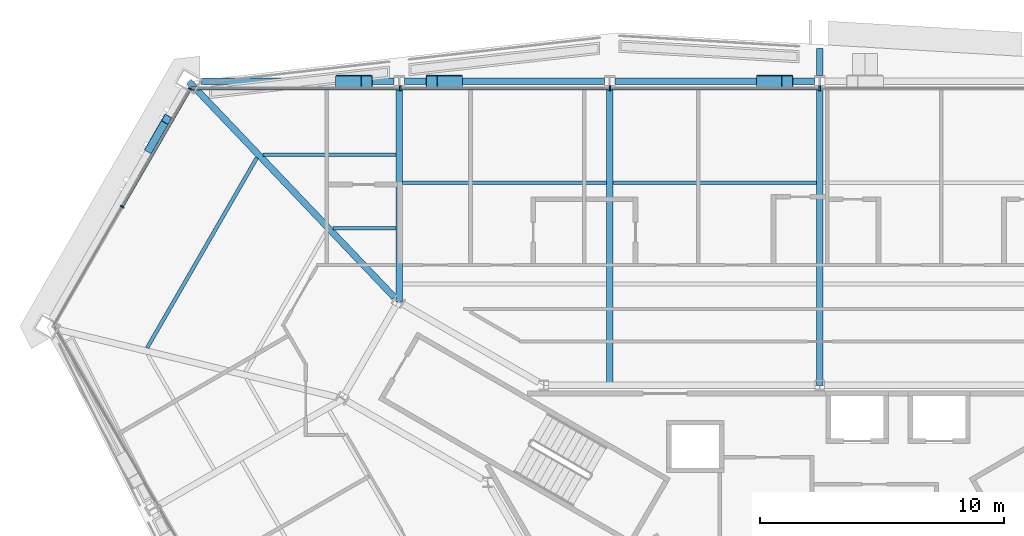
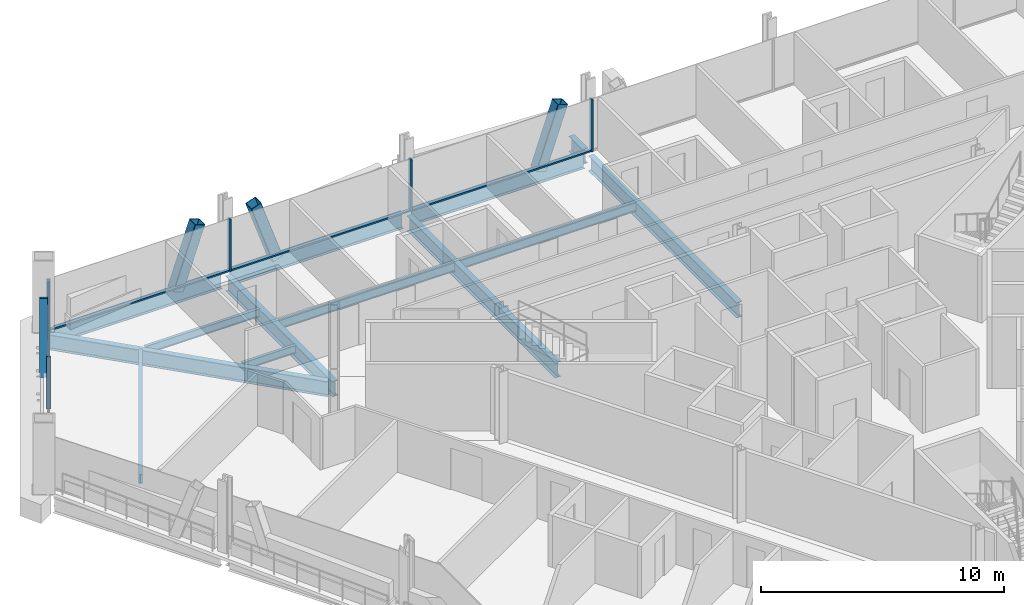
# One storey, part 8 of 18: 13 beams, 13 members, 2 elements without a shape of their own.
"""IFC4 building model written with IfcOpenShell, lengths in metres."""

from ifc_helpers import new_model, si_unit, direction, frame, origin, origin_2d, place, context, subcontext, project, spatial, rectangle, hollow_rectangle, i_section, extrude, material, material_profile, profile_set, type_object, element, aggregate, save


model = new_model("IFC4")

# Units and contexts
model_context = context("Model", 3, precision=1e-05, world=origin(), true_north=direction((0.0, 1.0)))
body_context = subcontext(model_context, "Body", "Model", "MODEL_VIEW")
ifc_project = project(units=[si_unit("LENGTHUNIT", "METRE"), si_unit("AREAUNIT", "SQUARE_METRE"), si_unit("VOLUMEUNIT", "CUBIC_METRE"), si_unit("PLANEANGLEUNIT", "RADIAN"), si_unit("MASSUNIT", "GRAM", prefix="KILO")], contexts=[model_context])

# Site, building, storey
site_placement = place(None, origin())
site = spatial("IfcSite", under=ifc_project, at=site_placement, CompositionType="ELEMENT")
building_placement = place(site_placement, origin())
building = spatial("IfcBuilding", under=site, at=building_placement, Name="Verrane Prism Tower", CompositionType="ELEMENT")
storey_placement = place(building_placement, frame((0.0, 0.0, 80.0)))
storey = spatial("IfcBuildingStorey", under=building, at=storey_placement, Name="L18", CompositionType="ELEMENT", Elevation=80.0)

# Member
ifc_material_1 = material(Name="Steel A500 Grade C", Category="steel")
ifc_material_profile_1 = material_profile(ifc_material_1, hollow_rectangle(XDim=0.355712890625, YDim=0.355712890625, WallThickness=0.0126953125, InnerFilletRadius=0.00634765625, OuterFilletRadius=0.01904296875, at=origin_2d()), Name="HSS14x14x1/2")
ifc_profile_set_1 = profile_set([ifc_material_profile_1], Name="Steel A500 Grade C")
member_type_1 = type_object("IfcMemberType", Name="Chamfer brace HSS14x14x1/2", PredefinedType="BRACE", material=ifc_profile_set_1)
member_1_placement = place(storey_placement, frame((-27.4912109375, 18.909423828125, -0.2451171875), z_axis=(0.209320899333, 0.363137808433, 0.907918329581), x_axis=(-0.866373148104, 0.499397204883, 0.0)))
element("IfcMember", 1, at=member_1_placement, inside=storey, type_object=member_type_1, Name="Chamfer brace NW0 L18", PredefinedType="BRACE", context=body_context, shape_type="SweptSolid", body=[
    extrude(hollow_rectangle(XDim=0.355712890625, YDim=0.355712890625, WallThickness=0.0126953125, InnerFilletRadius=0.00634765625, OuterFilletRadius=0.01904296875, at=origin_2d()), origin(), (0.0, 0.0, 1.0), 3.307861328125),
])

# Beam
ifc_material_2 = material(Name="Steel A992", Category="steel")
ifc_material_profile_2 = material_profile(ifc_material_2, i_section(OverallWidth=0.2666015625, OverallDepth=0.76708984375, WebThickness=0.014892578125, FlangeThickness=0.023681640625, FilletRadius=0.0166015625, at=origin_2d()), Name="W30x124")
ifc_profile_set_2 = profile_set([ifc_material_profile_2], Name="Steel A992")
beam_type_1 = type_object("IfcBeamType", Name="Corner girder W30x124", PredefinedType="BEAM", material=ifc_profile_set_2)
beam_1_placement = place(storey_placement, frame((-25.897216796875, 21.6669921875, -0.603515625), z_axis=(0.689657664947, -0.724135557185, 0.0), x_axis=(0.724135557185, 0.689657664947, 0.0)))
element("IfcBeam", 2, at=beam_1_placement, inside=storey, type_object=beam_type_1, Name="Corner girder L18", PredefinedType="BEAM", context=body_context, shape_type="SweptSolid", body=[
    extrude(i_section(OverallWidth=0.2666015625, OverallDepth=0.76708984375, WebThickness=0.014892578125, FlangeThickness=0.023681640625, FilletRadius=0.0166015625, at=origin_2d()), origin(), (0.0, 0.0, 1.0), 12.22900390625),
])

# Members
ifc_material_3 = material(Name="Steel A1085 Grade A", Category="steel")
ifc_material_profile_3 = material_profile(ifc_material_3, hollow_rectangle(XDim=0.508056640625, YDim=0.508056640625, WallThickness=0.025390625, InnerFilletRadius=0.0126953125, OuterFilletRadius=0.0380859375, at=origin_2d()), Name="HSS20x20x1")
ifc_profile_set_3 = profile_set([ifc_material_profile_3], Name="Steel A1085 Grade A")
member_type_2 = type_object("IfcMemberType", Name="Facade brace HSS20x20x1", PredefinedType="BRACE", material=ifc_profile_set_3)
for number, where, z_axis, x_axis, name in (
    (3, (-2.364501953125, 21.669921875, -0.24267578125), (0.324002388327, 0.0, 0.946056262787), (0.0, 1.0, 0.0), "Facade brace N3 L18"),
    (4, (-14.8955078125, 21.669921875, -0.24267578125), (-0.324002388327, 0.0, 0.946056262787), (0.0, -1.0, 0.0), "Facade brace N4 L18"),
):
    element("IfcMember", number, at=place(storey_placement, frame(where, z_axis=z_axis, x_axis=x_axis)), inside=storey, type_object=member_type_2, Name=name, PredefinedType="BRACE", context=body_context, shape_type="SweptSolid", body=[
        extrude(hollow_rectangle(XDim=0.508056640625, YDim=0.508056640625, WallThickness=0.025390625, InnerFilletRadius=0.0126953125, OuterFilletRadius=0.0380859375, at=origin_2d()), origin(), (0.0, 0.0, 1.0), 3.179931640625),
    ])
member_2_placement = place(storey_placement, frame((-19.627197265625, 21.669921875, -0.24267578125), z_axis=(0.324345913562, 0.0, 0.945938543646), x_axis=(0.0, 1.0, 0.0)))
element("IfcMember", 5, at=member_2_placement, inside=storey, type_object=member_type_2, Name="Facade brace N5 L18", PredefinedType="BRACE", context=body_context, shape_type="SweptSolid", body=[
    extrude(hollow_rectangle(XDim=0.508056640625, YDim=0.508056640625, WallThickness=0.025390625, InnerFilletRadius=0.0126953125, OuterFilletRadius=0.0380859375, at=origin_2d()), origin(), (0.0, 0.0, 1.0), 3.18017578125),
])

# Beams
ifc_material_4 = material(Name="Steel A992", Category="steel")
ifc_material_profile_4 = material_profile(ifc_material_4, i_section(OverallWidth=0.140380859375, OverallDepth=0.40380859375, WebThickness=0.007080078125, FlangeThickness=0.01123046875, FilletRadius=0.01025390625, at=origin_2d()), Name="W16x31")
ifc_profile_set_4 = profile_set([ifc_material_profile_4], Name="Steel A992")
beam_type_2 = type_object("IfcBeamType", Name="Floor beam W16x31", PredefinedType="BEAM", material=ifc_profile_set_4)
beam_2_placement = place(storey_placement, frame((-19.969482421875, 15.63671875, -0.36181640625), z_axis=(1.0, 0.0, 0.0), x_axis=(0.0, 1.0, 0.0)))
element("IfcBeam", 6, at=beam_2_placement, inside=storey, type_object=beam_type_2, Name="Floor beam L18", PredefinedType="BEAM", context=body_context, shape_type="SweptSolid", body=[
    extrude(i_section(OverallWidth=0.140380859375, OverallDepth=0.40380859375, WebThickness=0.007080078125, FlangeThickness=0.01123046875, FilletRadius=0.01025390625, at=origin_2d()), origin(), (0.0, 0.0, 1.0), 2.575927734375),
])
beam_3_placement = place(storey_placement, frame((-22.842529296875, 18.6533203125, -0.36181640625), z_axis=(1.0, 0.0, 0.0), x_axis=(0.0, 1.0, 0.0)))
element("IfcBeam", 7, at=beam_3_placement, inside=storey, type_object=beam_type_2, Name="Floor beam L18", PredefinedType="BEAM", context=body_context, shape_type="SweptSolid", body=[
    extrude(i_section(OverallWidth=0.140380859375, OverallDepth=0.40380859375, WebThickness=0.007080078125, FlangeThickness=0.01123046875, FilletRadius=0.01025390625, at=origin_2d()), origin(), (0.0, 0.0, 1.0), 5.448974609375),
])
ifc_material_5 = material(Name="Steel A992", Category="steel")
ifc_material_profile_5 = material_profile(ifc_material_5, i_section(OverallWidth=0.15234375, OverallDepth=0.449462890625, WebThickness=0.007568359375, FlangeThickness=0.0107421875, FilletRadius=0.01025390625, at=origin_2d()), Name="W18x35")
ifc_profile_set_5 = profile_set([ifc_material_profile_5], Name="Steel A992")
beam_type_3 = type_object("IfcBeamType", Name="Floor beam W18x35", PredefinedType="BEAM", material=ifc_profile_set_5)
for number, where, z_axis, x_axis, name in (
    (8, (-8.49658203125, 17.51318359375, -0.384765625), (1.0, 0.0, 0.0), (0.0, 1.0, 0.0), "Floor beam L18"),
    (9, (-17.12646484375, 17.51318359375, -0.384765625), (1.0, 0.0, 0.0), (0.0, 1.0, 0.0), "Floor beam L18"),
):
    element("IfcBeam", number, at=place(storey_placement, frame(where, z_axis=z_axis, x_axis=x_axis)), inside=storey, type_object=beam_type_3, Name=name, PredefinedType="BEAM", context=body_context, shape_type="SweptSolid", body=[
        extrude(i_section(OverallWidth=0.15234375, OverallDepth=0.449462890625, WebThickness=0.007568359375, FlangeThickness=0.0107421875, FilletRadius=0.01025390625, at=origin_2d()), origin(), (0.0, 0.0, 1.0), 8.363037109375),
    ])
beam_4_placement = place(storey_placement, frame((-27.60888671875, 10.735107421875, -0.384765625), z_axis=(0.500017147334, 0.86601550354, 0.0), x_axis=(-0.86601550354, 0.500017147334, 0.0)))
element("IfcBeam", 10, at=beam_4_placement, inside=storey, type_object=beam_type_3, Name="Floor beam L18", PredefinedType="BEAM", context=body_context, shape_type="SweptSolid", body=[
    extrude(i_section(OverallWidth=0.15234375, OverallDepth=0.449462890625, WebThickness=0.007568359375, FlangeThickness=0.0107421875, FilletRadius=0.01025390625, at=origin_2d()), origin(), (0.0, 0.0, 1.0), 9.011962890625),
])

# Curtain wall, members
ifc_material_6 = material(Name="Aluminium framed insulated glazing", Category="aluminium")
curtain_wall_type_1 = type_object("IfcCurtainWallType", Name="Curtain wall CW-B 5600 module", PredefinedType="NOTDEFINED", material=ifc_material_6)
curtain_wall_1_placement = place(storey_placement, origin())
curtain_wall_1 = element("IfcCurtainWall", 11, at=curtain_wall_1_placement, inside=storey, type_object=curtain_wall_type_1, Name="Glazed curtain wall north-west corner L18", PredefinedType="NOTDEFINED")
ifc_material_7 = material(Name="Aluminium alloy 6063-T6", Category="aluminium")
ifc_material_profile_6 = material_profile(ifc_material_7, rectangle(XDim=0.159912109375, YDim=0.06005859375, at=origin_2d()), Name="Mullion 60x160 aluminium")
ifc_profile_set_6 = profile_set([ifc_material_profile_6], Name="Aluminium alloy 6063-T6")
member_type_3 = type_object("IfcMemberType", Name="Mullion 60x160 aluminium", PredefinedType="MULLION", material=ifc_profile_set_6)
member_3_placement = place(storey_placement, frame((-25.83740234375, 21.364990234375, 0.0), z_axis=(0.0, 0.0, 1.0), x_axis=(0.866026293788, -0.499998458466, 0.0)))
member_3 = element("IfcMember", 12, at=member_3_placement, type_object=member_type_3, Name="CW17.3 mullion 1", PredefinedType="MULLION", context=body_context, shape_type="SweptSolid", body=[
    extrude(rectangle(XDim=0.159912109375, YDim=0.06005859375, at=origin_2d()), origin(), (0.0, 0.0, 1.0), 2.61279296875),
])
member_4_placement = place(storey_placement, frame((-28.62939453125, 16.529296875, 0.0), z_axis=(0.0, 0.0, 1.0), x_axis=(0.866026293788, -0.499998458466, 0.0)))
member_4 = element("IfcMember", 13, at=member_4_placement, type_object=member_type_3, Name="CW17.3 mullion 2", PredefinedType="MULLION", context=body_context, shape_type="SweptSolid", body=[
    extrude(rectangle(XDim=0.159912109375, YDim=0.06005859375, at=origin_2d()), origin(), (0.0, 0.0, 1.0), 2.61279296875),
])

ifc_material_8 = material(Name="Aluminium framed insulated glazing", Category="aluminium")
curtain_wall_type_2 = type_object("IfcCurtainWallType", Name="Curtain wall CW-A 8400 module", PredefinedType="NOTDEFINED", material=ifc_material_8)
curtain_wall_2_placement = place(storey_placement, origin())
curtain_wall_2 = element("IfcCurtainWall", 14, at=curtain_wall_2_placement, inside=storey, type_object=curtain_wall_type_2, Name="Glazed curtain wall north face L18", PredefinedType="NOTDEFINED")
ifc_material_9 = material(Name="Aluminium alloy 6063-T6", Category="aluminium")
ifc_material_profile_7 = material_profile(ifc_material_9, rectangle(XDim=0.199951171875, YDim=0.070068359375, at=origin_2d()), Name="Mullion 70x200 aluminium")
ifc_profile_set_7 = profile_set([ifc_material_profile_7], Name="Aluminium alloy 6063-T6")
member_type_4 = type_object("IfcMemberType", Name="Mullion 70x200 aluminium", PredefinedType="MULLION", material=ifc_profile_set_7)
member_5_placement = place(storey_placement, frame((0.0, 21.39111328125, 0.0), z_axis=(0.0, 0.0, 1.0), x_axis=(0.0, -1.0, 0.0)))
member_5 = element("IfcMember", 15, at=member_5_placement, type_object=member_type_4, Name="CW17.2 mullion 4", PredefinedType="MULLION", context=body_context, shape_type="SweptSolid", body=[
    extrude(rectangle(XDim=0.199951171875, YDim=0.070068359375, at=origin_2d()), origin(), (0.0, 0.0, 1.0), 2.61279296875),
])
member_6_placement = place(storey_placement, frame((-8.607421875, 21.39111328125, 0.0), z_axis=(0.0, 0.0, 1.0), x_axis=(0.0, -1.0, 0.0)))
member_6 = element("IfcMember", 16, at=member_6_placement, type_object=member_type_4, Name="CW17.2 mullion 5", PredefinedType="MULLION", context=body_context, shape_type="SweptSolid", body=[
    extrude(rectangle(XDim=0.199951171875, YDim=0.070068359375, at=origin_2d()), origin(), (0.0, 0.0, 1.0), 2.61279296875),
])
member_7_placement = place(storey_placement, frame((-17.21484375, 21.39111328125, 0.0), z_axis=(0.0, 0.0, 1.0), x_axis=(0.0, -1.0, 0.0)))
member_7 = element("IfcMember", 17, at=member_7_placement, type_object=member_type_4, Name="CW17.2 mullion 6", PredefinedType="MULLION", context=body_context, shape_type="SweptSolid", body=[
    extrude(rectangle(XDim=0.199951171875, YDim=0.070068359375, at=origin_2d()), origin(), (0.0, 0.0, 1.0), 2.61279296875),
])

# Beams
ifc_material_10 = material(Name="Steel A992", Category="steel")
ifc_material_profile_8 = material_profile(ifc_material_10, i_section(OverallWidth=0.2666015625, OverallDepth=0.76708984375, WebThickness=0.014892578125, FlangeThickness=0.023681640625, FilletRadius=0.0166015625, at=origin_2d()), Name="W30x124")
ifc_profile_set_8 = profile_set([ifc_material_profile_8], Name="Steel A992")
beam_type_4 = type_object("IfcBeamType", Name="Radial girder W30x124", PredefinedType="BEAM", material=ifc_profile_set_8)
for number, where, z_axis, x_axis, name in (
    (18, (0.0, 21.421142578125, -0.603515625), (0.0, -1.0, 0.0), (1.0, 0.0, 0.0), "Radial girder L18"),
    (19, (-8.6298828125, 21.421142578125, -0.603515625), (0.0, -1.0, 0.0), (1.0, 0.0, 0.0), "Radial girder L18"),
):
    element("IfcBeam", number, at=place(storey_placement, frame(where, z_axis=z_axis, x_axis=x_axis)), inside=storey, type_object=beam_type_4, Name=name, PredefinedType="BEAM", context=body_context, shape_type="SweptSolid", body=[
        extrude(i_section(OverallWidth=0.2666015625, OverallDepth=0.76708984375, WebThickness=0.014892578125, FlangeThickness=0.023681640625, FilletRadius=0.0166015625, at=origin_2d()), origin(), (0.0, 0.0, 1.0), 12.22119140625),
    ])
beam_5_placement = place(storey_placement, frame((-17.260009765625, 21.421142578125, -0.603515625), z_axis=(0.0, -1.0, 0.0), x_axis=(1.0, 0.0, 0.0)))
element("IfcBeam", 20, at=beam_5_placement, inside=storey, type_object=beam_type_4, Name="Radial girder L18", PredefinedType="BEAM", context=body_context, shape_type="SweptSolid", body=[
    extrude(i_section(OverallWidth=0.2666015625, OverallDepth=0.76708984375, WebThickness=0.014892578125, FlangeThickness=0.023681640625, FilletRadius=0.0166015625, at=origin_2d()), origin(), (0.0, 0.0, 1.0), 8.80419921875),
])
beam_6_placement = place(storey_placement, frame((0.0, 21.914794921875, -0.603515625), z_axis=(0.0, 1.0, 0.0), x_axis=(-1.0, 0.0, 0.0)))
element("IfcBeam", 21, at=beam_6_placement, inside=storey, type_object=beam_type_4, Name="Cantilever girder L18", PredefinedType="BEAM", context=body_context, shape_type="SweptSolid", body=[
    extrude(i_section(OverallWidth=0.2666015625, OverallDepth=0.76708984375, WebThickness=0.014892578125, FlangeThickness=0.023681640625, FilletRadius=0.0166015625, at=origin_2d()), origin(), (0.0, 0.0, 1.0), 1.116943359375),
])
ifc_material_11 = material(Name="Steel A992", Category="steel")
ifc_material_profile_9 = material_profile(ifc_material_11, i_section(OverallWidth=0.2666015625, OverallDepth=0.7568359375, WebThickness=0.013916015625, FlangeThickness=0.019287109375, FilletRadius=0.0166015625, at=origin_2d()), Name="W30x108")
ifc_profile_set_9 = profile_set([ifc_material_profile_9], Name="Steel A992")
beam_type_5 = type_object("IfcBeamType", Name="Spandrel beam W30x108", PredefinedType="SPANDREL", material=ifc_profile_set_9)
for number, where, z_axis, x_axis, name in (
    (22, (-0.2158203125, 21.669921875, -0.53857421875), (-1.0, 0.0, 0.0), (0.0, -1.0, 0.0), "Spandrel beam L18"),
    (23, (-8.845947265625, 21.669921875, -0.53857421875), (-1.0, 0.0, 0.0), (0.0, -1.0, 0.0), "Spandrel beam L18"),
):
    element("IfcBeam", number, at=place(storey_placement, frame(where, z_axis=z_axis, x_axis=x_axis)), inside=storey, type_object=beam_type_5, Name=name, PredefinedType="SPANDREL", context=body_context, shape_type="SweptSolid", body=[
        extrude(i_section(OverallWidth=0.2666015625, OverallDepth=0.7568359375, WebThickness=0.013916015625, FlangeThickness=0.019287109375, FilletRadius=0.0166015625, at=origin_2d()), origin(), (0.0, 0.0, 1.0), 8.1982421875),
    ])
beam_7_placement = place(storey_placement, frame((-17.475830078125, 21.669921875, -0.53857421875), z_axis=(-1.0, 0.0, 0.0), x_axis=(0.0, -1.0, 0.0)))
element("IfcBeam", 24, at=beam_7_placement, inside=storey, type_object=beam_type_5, Name="Spandrel beam L18", PredefinedType="SPANDREL", context=body_context, shape_type="SweptSolid", body=[
    extrude(i_section(OverallWidth=0.2666015625, OverallDepth=0.7568359375, WebThickness=0.013916015625, FlangeThickness=0.019287109375, FilletRadius=0.0166015625, at=origin_2d()), origin(), (0.0, 0.0, 1.0), 7.904541015625),
])

# Member
ifc_material_12 = material(Name="Aluminium alloy 6063-T6", Category="aluminium")
ifc_material_profile_10 = material_profile(ifc_material_12, rectangle(XDim=0.1201171875, YDim=0.06005859375, at=origin_2d()), Name="Transom 60x120 aluminium")
ifc_profile_set_10 = profile_set([ifc_material_profile_10], Name="Aluminium alloy 6063-T6")
member_type_5 = type_object("IfcMemberType", Name="Transom 60x120 aluminium", PredefinedType="USERDEFINED", material=ifc_profile_set_10)
member_8_placement = place(storey_placement, frame((-25.852294921875, 21.339111328125, 0.030029296875), z_axis=(-0.499994082372, -0.866028820302, 0.0), x_axis=(0.866028820302, -0.499994082372, 0.0)))
member_8 = element("IfcMember", 25, at=member_8_placement, type_object=member_type_5, Name="CW17.3 transom 1", ObjectType="TRANSOM", PredefinedType="USERDEFINED", context=body_context, shape_type="SweptSolid", body=[
    extrude(rectangle(XDim=0.1201171875, YDim=0.06005859375, at=origin_2d()), origin(), (0.0, 0.0, 1.0), 5.52392578125),
])

aggregate(curtain_wall_1, [member_3, member_4, member_8])

ifc_material_13 = material(Name="Aluminium alloy 6063-T6", Category="aluminium")
ifc_material_profile_11 = material_profile(ifc_material_13, rectangle(XDim=0.14990234375, YDim=0.070068359375, at=origin_2d()), Name="Transom 70x150 aluminium")
ifc_profile_set_11 = profile_set([ifc_material_profile_11], Name="Aluminium alloy 6063-T6")
member_type_6 = type_object("IfcMemberType", Name="Transom 70x150 aluminium", PredefinedType="USERDEFINED", material=ifc_profile_set_11)
member_9_placement = place(storey_placement, frame((-0.034912109375, 21.39111328125, 0.034912109375), z_axis=(-1.0, 0.0, 0.0), x_axis=(0.0, -1.0, 0.0)))
member_9 = element("IfcMember", 26, at=member_9_placement, type_object=member_type_6, Name="CW17.2 transom 4", ObjectType="TRANSOM", PredefinedType="USERDEFINED", context=body_context, shape_type="SweptSolid", body=[
    extrude(rectangle(XDim=0.14990234375, YDim=0.070068359375, at=origin_2d()), origin(), (0.0, 0.0, 1.0), 8.53759765625),
])

member_10_placement = place(storey_placement, frame((-8.642578125, 21.39111328125, 0.034912109375), z_axis=(-1.0, 0.0, 0.0), x_axis=(0.0, -1.0, 0.0)))
member_10 = element("IfcMember", 27, at=member_10_placement, type_object=member_type_6, Name="CW17.2 transom 5", ObjectType="TRANSOM", PredefinedType="USERDEFINED", context=body_context, shape_type="SweptSolid", body=[
    extrude(rectangle(XDim=0.14990234375, YDim=0.070068359375, at=origin_2d()), origin(), (0.0, 0.0, 1.0), 8.537353515625),
])

member_11_placement = place(storey_placement, frame((-17.25, 21.39111328125, 0.034912109375), z_axis=(-1.0, 0.0, 0.0), x_axis=(0.0, -1.0, 0.0)))
member_11 = element("IfcMember", 28, at=member_11_placement, type_object=member_type_6, Name="CW17.2 transom 6", ObjectType="TRANSOM", PredefinedType="USERDEFINED", context=body_context, shape_type="SweptSolid", body=[
    extrude(rectangle(XDim=0.14990234375, YDim=0.070068359375, at=origin_2d()), origin(), (0.0, 0.0, 1.0), 8.572509765625),
])

aggregate(curtain_wall_2, [member_5, member_6, member_7, member_9, member_10, member_11])

save(model, "model.ifc")
